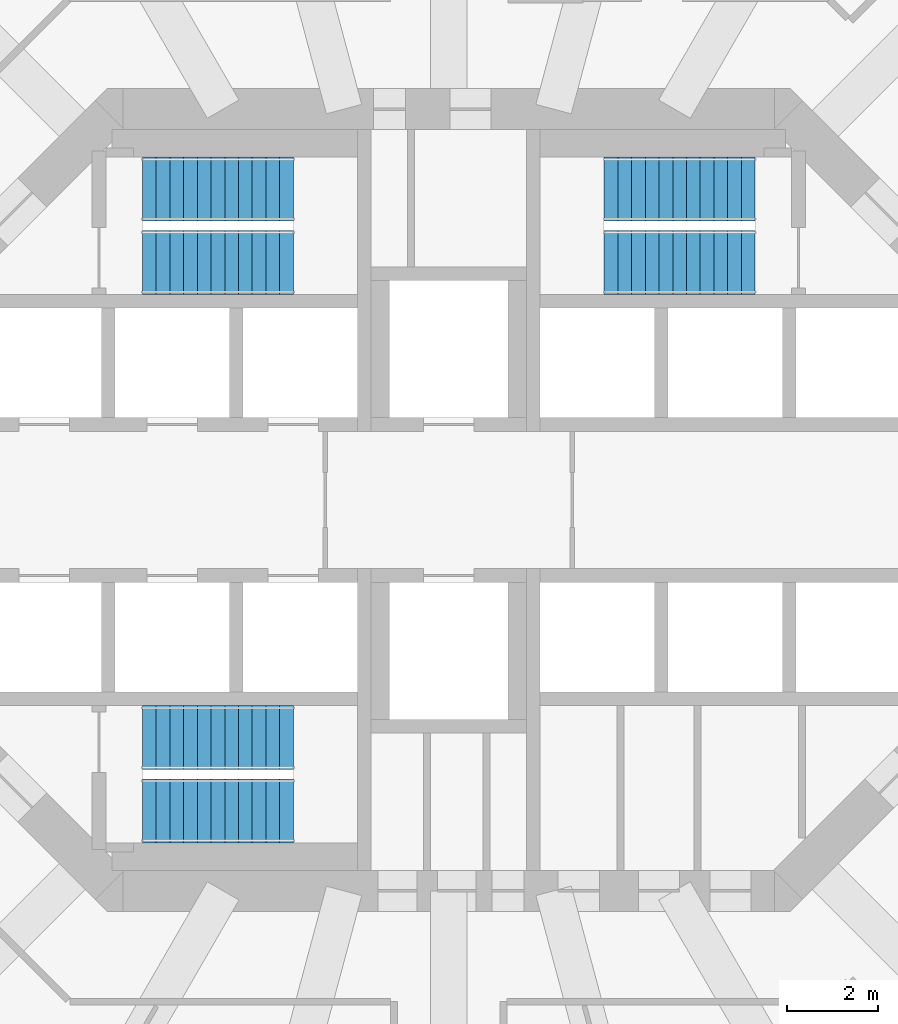
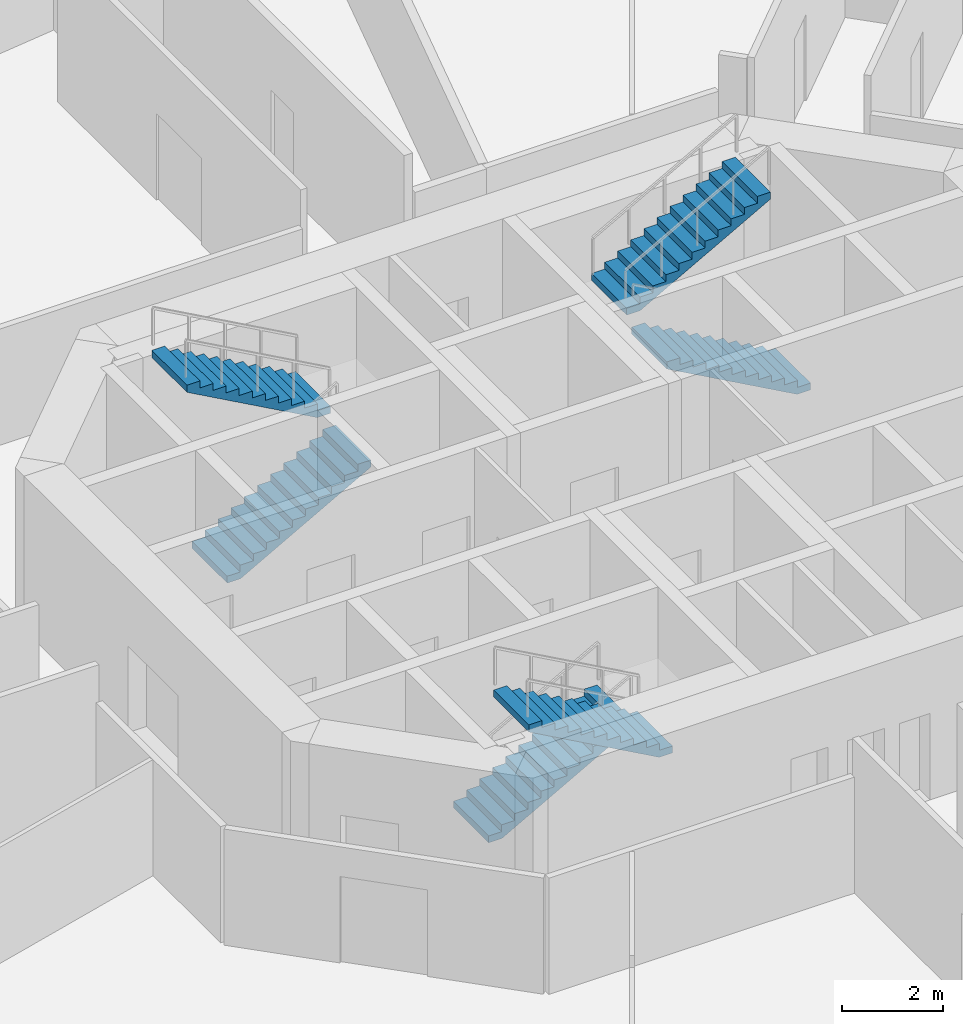
# One storey, part 7 of 9: 6 stair flights, 3 elements without a shape of their own.
"""IFC4 building model written with IfcOpenShell, lengths in metres."""

import ifcopenshell
import ifcopenshell.guid

model = None  # the IFC model being written
_history = None  # IfcOwnerHistory: only IFC2X3 demands one
_inside = {}  # id of a spatial element -> (the spatial element, [elements in it])
_under = {}  # id of a project, library or spatial element -> (it, [spatial elements below it])
_declared = {}  # id of a project -> (the project, [libraries it declares])
_typed = {}  # id of a type object -> (the type object, [elements of that type])
_made_of = {}  # id of a material, layer set ... -> (it, [elements and type objects made of it])


def new_model(schema):
    """Start an empty IFC model of exactly this schema.

    Asked for "IFC4X3", IfcOpenShell would pick the latest addendum, in which some entities
    have other attributes; the version numbers below select the first issue.
    IFC2X3 requires an IfcOwnerHistory on every rooted entity: one is made here for all.
    """
    global model, _history
    if schema == "IFC4X3":
        model = ifcopenshell.file(schema_version=(4, 3, 0, 0))
    else:
        model = ifcopenshell.file(schema=schema)
    _inside.clear()
    _under.clear()
    _declared.clear()
    _typed.clear()
    _made_of.clear()
    _history = None
    if model.schema == "IFC2X3":
        org = make("IfcOrganization", Name="unknown")
        user = make(
            "IfcPersonAndOrganization",
            ThePerson=make("IfcPerson", FamilyName="unknown"),
            TheOrganization=org,
        )
        app = make(
            "IfcApplication",
            ApplicationDeveloper=org,
            Version="unknown",
            ApplicationFullName="unknown",
            ApplicationIdentifier="unknown",
        )
        _history = make(
            "IfcOwnerHistory",
            OwningUser=user,
            OwningApplication=app,
            ChangeAction="ADDED",
            CreationDate=0,
        )
    return model


def make(cls, **values):
    """One entity of the class cls with the attributes given. An attribute that is None is left unset."""
    return model.create_entity(
        cls, **{name: value for name, value in values.items() if value is not None}
    )


def rooted(cls, **values):
    """An entity with a GlobalId (a new one), such as an element, a storey or a relation."""
    return make(cls, GlobalId=ifcopenshell.guid.new(), OwnerHistory=_history, **values)


def si_unit(unit_type, name, prefix=None):
    """IfcSIUnit, for example si_unit("LENGTHUNIT", "METRE", prefix="MILLI")."""
    return make("IfcSIUnit", UnitType=unit_type, Prefix=prefix, Name=name)


def assignment(units):
    """IfcUnitAssignment: the units of a project."""
    return None if units is None else make("IfcUnitAssignment", Units=units)


def point(xyz):
    """IfcCartesianPoint."""
    return None if xyz is None else make("IfcCartesianPoint", Coordinates=xyz)


def direction(xyz):
    """IfcDirection."""
    return None if xyz is None else make("IfcDirection", DirectionRatios=xyz)


def frame(location, z_axis=None, x_axis=None):
    """IfcAxis2Placement3D, a coordinate frame: its origin and axes. An axis left out is left unset."""
    return make(
        "IfcAxis2Placement3D",
        Location=point(location),
        Axis=direction(z_axis),
        RefDirection=direction(x_axis),
    )


def origin():
    """The frame at (0, 0, 0) with its axes left unset."""
    return frame((0.0, 0.0, 0.0))


def place(relative_to, where):
    """IfcLocalPlacement: puts the frame where relative to a parent placement (None: the world)."""
    return make(
        "IfcLocalPlacement", PlacementRelTo=relative_to, RelativePlacement=where
    )


def context(
    kind, dimensions, precision=None, world=None, true_north=None, identifier=None
):
    """IfcGeometricRepresentationContext, for example the 3D "Model" context."""
    return make(
        "IfcGeometricRepresentationContext",
        ContextIdentifier=identifier,
        ContextType=kind,
        CoordinateSpaceDimension=dimensions,
        Precision=precision,
        WorldCoordinateSystem=world,
        TrueNorth=true_north,
    )


def subcontext(parent, identifier, kind, view, scale=None):
    """IfcGeometricRepresentationSubContext, for example "Body" below "Model"."""
    return make(
        "IfcGeometricRepresentationSubContext",
        ContextIdentifier=identifier,
        ContextType=kind,
        ParentContext=parent,
        TargetScale=scale,
        TargetView=view,
    )


def project(units=None, contexts=None):
    """IfcProject with its units and contexts."""
    return rooted(
        "IfcProject",
        Name="project",
        RepresentationContexts=contexts,
        UnitsInContext=assignment(units),
    )


def spatial(cls, under=None, at=None, **own):
    """A site, building, storey or space (cls), placed at a placement, below another one or the project."""
    s = rooted(cls, ObjectPlacement=at, **own)
    if under is not None:
        _under.setdefault(under.id(), (under, []))[1].append(s)
    return s


def polyline(points):
    """IfcPolyline through the points."""
    return make("IfcPolyline", Points=[point(p) for p in points])


def outline(outer, holes=None, kind="AREA"):
    """IfcArbitraryClosedProfileDef: a profile drawn as a closed curve; with holes, ...WithVoids."""
    if holes is None:
        return make("IfcArbitraryClosedProfileDef", ProfileType=kind, OuterCurve=outer)
    return make(
        "IfcArbitraryProfileDefWithVoids",
        ProfileType=kind,
        OuterCurve=outer,
        InnerCurves=holes,
    )


def extrude(swept, where, along, depth):
    """IfcExtrudedAreaSolid: the profile swept, set in the frame where, extruded along a direction by depth."""
    return make(
        "IfcExtrudedAreaSolid",
        SweptArea=swept,
        Position=where,
        ExtrudedDirection=direction(along),
        Depth=depth,
    )


def shape(context_of_items, identifier, shape_type, items):
    """IfcShapeRepresentation: the items that make up one representation, for example the "Body"."""
    return make(
        "IfcShapeRepresentation",
        ContextOfItems=context_of_items,
        RepresentationIdentifier=identifier,
        RepresentationType=shape_type,
        Items=items,
    )


def material(Name=None, Category=None):
    """IfcMaterial."""
    return make("IfcMaterial", Name=Name, Category=Category)


def made_of(thing, what):
    """Note that an element or type object is made of a material, layer set ...; save() writes the relation."""
    if what is not None:
        _made_of.setdefault(what.id(), (what, []))[1].append(thing)
    return thing


def type_object(cls, material=None, **own):
    """A type object (cls), such as IfcWallType, which elements share."""
    return made_of(rooted(cls, **own), material)


def element(
    cls,
    number,
    at=None,
    inside=None,
    cuts=None,
    type_object=None,
    material=None,
    context=None,
    identifier="Body",
    shape_type=None,
    held_by="IfcProductDefinitionShape",
    body=None,
    shapes=None,
    **own,
):
    """One element of the class cls, such as IfcWall. Its Tag is "e" and its number.

    at: its placement. inside: the storey or other place that contains it. cuts: it is an
    opening in that element (IfcRelVoidsElement). A single representation is given by context,
    identifier, shape_type and body (its items); several are given by shapes. held_by: the class
    of the entity that holds the representations. save() writes the other relations.
    """
    e = rooted(cls, Tag="e%d" % number, ObjectPlacement=at, **own)
    if body is not None:
        shapes = [shape(context, identifier, shape_type, body)]
    if shapes is not None:
        e.Representation = make(held_by, Representations=shapes)
    if inside is not None:
        _inside.setdefault(inside.id(), (inside, []))[1].append(e)
    if cuts is not None:
        rooted(
            "IfcRelVoidsElement", RelatingBuildingElement=cuts, RelatedOpeningElement=e
        )
    if type_object is not None:
        _typed.setdefault(type_object.id(), (type_object, []))[1].append(e)
    return made_of(e, material)


def aggregate(whole, parts):
    """IfcRelAggregates: a whole, such as a stair, and the parts it consists of."""
    return rooted("IfcRelAggregates", RelatingObject=whole, RelatedObjects=parts)


def save(model, path):
    """Write the relations noted so far, then the file.

    IfcRelAggregates (storeys below a building ...), IfcRelContainedInSpatialStructure (elements
    in a storey), IfcRelDefinesByType, IfcRelAssociatesMaterial and IfcRelDeclares: one each for
    every whole, place, type object, material and project.
    """
    for whole, parts in _under.values():
        aggregate(whole, parts)
    for where, things in _inside.values():
        rooted(
            "IfcRelContainedInSpatialStructure",
            RelatedElements=things,
            RelatingStructure=where,
        )
    for kind, things in _typed.values():
        rooted("IfcRelDefinesByType", RelatedObjects=things, RelatingType=kind)
    for what, things in _made_of.values():
        rooted("IfcRelAssociatesMaterial", RelatedObjects=things, RelatingMaterial=what)
    for by, libraries in _declared.values():
        rooted("IfcRelDeclares", RelatingContext=by, RelatedDefinitions=libraries)
    model.write(path)


model = new_model("IFC4")

# Units and contexts
model_context = context("Model", 3, precision=1e-05, world=origin(), true_north=direction((0.0, 1.0)))
body_context = subcontext(model_context, "Body", "Model", "MODEL_VIEW")
ifc_project = project(units=[si_unit("LENGTHUNIT", "METRE"), si_unit("AREAUNIT", "SQUARE_METRE"), si_unit("VOLUMEUNIT", "CUBIC_METRE"), si_unit("PLANEANGLEUNIT", "RADIAN"), si_unit("MASSUNIT", "GRAM", prefix="KILO")], contexts=[model_context])

# Site, building, storey
site_placement = place(None, origin())
site = spatial("IfcSite", under=ifc_project, at=site_placement, CompositionType="ELEMENT")
building_placement = place(site_placement, origin())
building = spatial("IfcBuilding", under=site, at=building_placement, Name="Torre Triforio", CompositionType="ELEMENT")
storey_placement = place(building_placement, frame((0.0, 0.0, 51.0)))
storey = spatial("IfcBuildingStorey", under=building, at=storey_placement, Name="L10", CompositionType="ELEMENT", Elevation=51.0)

# Stair, stair flights
ifc_material = material(Name="Concrete C40", Category="concrete")
stair_type = type_object("IfcStairType", Name="STAIR HALF-TURN", PredefinedType="HALF_TURN_STAIR", material=ifc_material)
stair_1_placement = place(storey_placement, origin())
stair_1 = element("IfcStair", 1, at=stair_1_placement, inside=storey, type_object=stair_type, Name="Exit stair 1", PredefinedType="HALF_TURN_STAIR")
stair_flight_type = type_object("IfcStairFlightType", Name="STAIR FLIGHT 1400", PredefinedType="STRAIGHT", material=ifc_material)
stair_flight_1_placement = place(storey_placement, frame((-6.699951171875, 5.199951171875, 0.0), z_axis=(0.0, 0.0, 1.0), x_axis=(1.0, 0.0, 0.0)))
stair_flight_1 = element("IfcStairFlight", 2, at=stair_flight_1_placement, type_object=stair_flight_type, Name="ST1 flight 1", NumberOfRisers=12, NumberOfTreads=11, PredefinedType="STRAIGHT", RiserHeight=0.166666667, TreadLength=0.3, context=body_context, shape_type="SweptSolid", body=[
    extrude(outline(polyline([(0.0, 0.0), (0.0, 0.166748046875), (0.300048828125, 0.166748046875), (0.300048828125, 0.333251953125), (0.60009765625, 0.333251953125), (0.60009765625, 0.5), (0.89990234375, 0.5), (0.89990234375, 0.666748046875), (1.199951171875, 0.666748046875), (1.199951171875, 0.833251953125), (1.5, 0.833251953125), (1.5, 1.0), (1.800048828125, 1.0), (1.800048828125, 1.166748046875), (2.10009765625, 1.166748046875), (2.10009765625, 1.333251953125), (2.39990234375, 1.333251953125), (2.39990234375, 1.5), (2.699951171875, 1.5), (2.699951171875, 1.666748046875), (3.0, 1.666748046875), (3.0, 1.833251953125), (3.300048828125, 1.833251953125), (3.300048828125, 2.0), (3.300048828125, 1.661865234375), (0.30859375, 0.0), (0.0, 0.0)])), frame((0.0, 0.699951171875, 0.0), z_axis=(0.0, -1.0, 0.0), x_axis=(1.0, 0.0, 0.0)), (0.0, 0.0, 1.0), 1.39990234375),
])
stair_flight_2_placement = place(storey_placement, frame((-3.39990234375, 6.800048828125, 2.0), z_axis=(0.0, 0.0, 1.0), x_axis=(-1.0, 0.0, 0.0)))
stair_flight_2 = element("IfcStairFlight", 3, at=stair_flight_2_placement, type_object=stair_flight_type, Name="ST1 flight 2", NumberOfRisers=12, NumberOfTreads=11, PredefinedType="STRAIGHT", RiserHeight=0.166666667, TreadLength=0.3, context=body_context, shape_type="SweptSolid", body=[
    extrude(outline(polyline([(0.0, 0.0), (0.0, 0.166748046875), (0.300048828125, 0.166748046875), (0.300048828125, 0.333251953125), (0.60009765625, 0.333251953125), (0.60009765625, 0.5), (0.89990234375, 0.5), (0.89990234375, 0.666748046875), (1.199951171875, 0.666748046875), (1.199951171875, 0.833251953125), (1.5, 0.833251953125), (1.5, 1.0), (1.800048828125, 1.0), (1.800048828125, 1.166748046875), (2.10009765625, 1.166748046875), (2.10009765625, 1.333251953125), (2.39990234375, 1.333251953125), (2.39990234375, 1.5), (2.699951171875, 1.5), (2.699951171875, 1.666748046875), (3.0, 1.666748046875), (3.0, 1.833251953125), (3.300048828125, 1.833251953125), (3.300048828125, 2.0), (3.300048828125, 1.661865234375), (0.30859375, 0.0), (0.0, 0.0)])), frame((0.0, 0.699951171875, 0.0), z_axis=(0.0, -1.0, 0.0), x_axis=(1.0, 0.0, 0.0)), (0.0, 0.0, 1.0), 1.39990234375),
])
aggregate(stair_1, [stair_flight_1, stair_flight_2])

stair_2_placement = place(storey_placement, origin())
stair_2 = element("IfcStair", 4, at=stair_2_placement, inside=storey, type_object=stair_type, Name="Exit stair 2", PredefinedType="HALF_TURN_STAIR")
stair_flight_3_placement = place(storey_placement, frame((6.699951171875, 5.199951171875, 0.0), z_axis=(0.0, 0.0, 1.0), x_axis=(-1.0, 0.0, 0.0)))
stair_flight_3 = element("IfcStairFlight", 5, at=stair_flight_3_placement, type_object=stair_flight_type, Name="ST2 flight 1", NumberOfRisers=12, NumberOfTreads=11, PredefinedType="STRAIGHT", RiserHeight=0.166666667, TreadLength=0.3, context=body_context, shape_type="SweptSolid", body=[
    extrude(outline(polyline([(0.0, 0.0), (0.0, 0.166748046875), (0.300048828125, 0.166748046875), (0.300048828125, 0.333251953125), (0.60009765625, 0.333251953125), (0.60009765625, 0.5), (0.89990234375, 0.5), (0.89990234375, 0.666748046875), (1.199951171875, 0.666748046875), (1.199951171875, 0.833251953125), (1.5, 0.833251953125), (1.5, 1.0), (1.800048828125, 1.0), (1.800048828125, 1.166748046875), (2.10009765625, 1.166748046875), (2.10009765625, 1.333251953125), (2.39990234375, 1.333251953125), (2.39990234375, 1.5), (2.699951171875, 1.5), (2.699951171875, 1.666748046875), (3.0, 1.666748046875), (3.0, 1.833251953125), (3.300048828125, 1.833251953125), (3.300048828125, 2.0), (3.300048828125, 1.661865234375), (0.30859375, 0.0), (0.0, 0.0)])), frame((0.0, 0.699951171875, 0.0), z_axis=(0.0, -1.0, 0.0), x_axis=(1.0, 0.0, 0.0)), (0.0, 0.0, 1.0), 1.39990234375),
])
stair_flight_4_placement = place(storey_placement, frame((3.39990234375, 6.800048828125, 2.0), z_axis=(0.0, 0.0, 1.0), x_axis=(1.0, 0.0, 0.0)))
stair_flight_4 = element("IfcStairFlight", 6, at=stair_flight_4_placement, type_object=stair_flight_type, Name="ST2 flight 2", NumberOfRisers=12, NumberOfTreads=11, PredefinedType="STRAIGHT", RiserHeight=0.166666667, TreadLength=0.3, context=body_context, shape_type="SweptSolid", body=[
    extrude(outline(polyline([(0.0, 0.0), (0.0, 0.166748046875), (0.300048828125, 0.166748046875), (0.300048828125, 0.333251953125), (0.60009765625, 0.333251953125), (0.60009765625, 0.5), (0.89990234375, 0.5), (0.89990234375, 0.666748046875), (1.199951171875, 0.666748046875), (1.199951171875, 0.833251953125), (1.5, 0.833251953125), (1.5, 1.0), (1.800048828125, 1.0), (1.800048828125, 1.166748046875), (2.10009765625, 1.166748046875), (2.10009765625, 1.333251953125), (2.39990234375, 1.333251953125), (2.39990234375, 1.5), (2.699951171875, 1.5), (2.699951171875, 1.666748046875), (3.0, 1.666748046875), (3.0, 1.833251953125), (3.300048828125, 1.833251953125), (3.300048828125, 2.0), (3.300048828125, 1.661865234375), (0.30859375, 0.0), (0.0, 0.0)])), frame((0.0, 0.699951171875, 0.0), z_axis=(0.0, -1.0, 0.0), x_axis=(1.0, 0.0, 0.0)), (0.0, 0.0, 1.0), 1.39990234375),
])
aggregate(stair_2, [stair_flight_3, stair_flight_4])

stair_3_placement = place(storey_placement, origin())
stair_3 = element("IfcStair", 7, at=stair_3_placement, inside=storey, type_object=stair_type, Name="Exit stair 3", PredefinedType="HALF_TURN_STAIR")
stair_flight_5_placement = place(storey_placement, frame((-6.699951171875, -5.199951171875, 0.0), z_axis=(0.0, 0.0, 1.0), x_axis=(1.0, 0.0, 0.0)))
stair_flight_5 = element("IfcStairFlight", 8, at=stair_flight_5_placement, type_object=stair_flight_type, Name="ST3 flight 1", NumberOfRisers=12, NumberOfTreads=11, PredefinedType="STRAIGHT", RiserHeight=0.166666667, TreadLength=0.3, context=body_context, shape_type="SweptSolid", body=[
    extrude(outline(polyline([(0.0, 0.0), (0.0, 0.166748046875), (0.300048828125, 0.166748046875), (0.300048828125, 0.333251953125), (0.60009765625, 0.333251953125), (0.60009765625, 0.5), (0.89990234375, 0.5), (0.89990234375, 0.666748046875), (1.199951171875, 0.666748046875), (1.199951171875, 0.833251953125), (1.5, 0.833251953125), (1.5, 1.0), (1.800048828125, 1.0), (1.800048828125, 1.166748046875), (2.10009765625, 1.166748046875), (2.10009765625, 1.333251953125), (2.39990234375, 1.333251953125), (2.39990234375, 1.5), (2.699951171875, 1.5), (2.699951171875, 1.666748046875), (3.0, 1.666748046875), (3.0, 1.833251953125), (3.300048828125, 1.833251953125), (3.300048828125, 2.0), (3.300048828125, 1.661865234375), (0.30859375, 0.0), (0.0, 0.0)])), frame((0.0, 0.699951171875, 0.0), z_axis=(0.0, -1.0, 0.0), x_axis=(1.0, 0.0, 0.0)), (0.0, 0.0, 1.0), 1.39990234375),
])
stair_flight_6_placement = place(storey_placement, frame((-3.39990234375, -6.800048828125, 2.0), z_axis=(0.0, 0.0, 1.0), x_axis=(-1.0, 0.0, 0.0)))
stair_flight_6 = element("IfcStairFlight", 9, at=stair_flight_6_placement, type_object=stair_flight_type, Name="ST3 flight 2", NumberOfRisers=12, NumberOfTreads=11, PredefinedType="STRAIGHT", RiserHeight=0.166666667, TreadLength=0.3, context=body_context, shape_type="SweptSolid", body=[
    extrude(outline(polyline([(0.0, 0.0), (0.0, 0.166748046875), (0.300048828125, 0.166748046875), (0.300048828125, 0.333251953125), (0.60009765625, 0.333251953125), (0.60009765625, 0.5), (0.89990234375, 0.5), (0.89990234375, 0.666748046875), (1.199951171875, 0.666748046875), (1.199951171875, 0.833251953125), (1.5, 0.833251953125), (1.5, 1.0), (1.800048828125, 1.0), (1.800048828125, 1.166748046875), (2.10009765625, 1.166748046875), (2.10009765625, 1.333251953125), (2.39990234375, 1.333251953125), (2.39990234375, 1.5), (2.699951171875, 1.5), (2.699951171875, 1.666748046875), (3.0, 1.666748046875), (3.0, 1.833251953125), (3.300048828125, 1.833251953125), (3.300048828125, 2.0), (3.300048828125, 1.661865234375), (0.30859375, 0.0), (0.0, 0.0)])), frame((0.0, 0.699951171875, 0.0), z_axis=(0.0, -1.0, 0.0), x_axis=(1.0, 0.0, 0.0)), (0.0, 0.0, 1.0), 1.39990234375),
])
aggregate(stair_3, [stair_flight_5, stair_flight_6])

save(model, "model.ifc")
